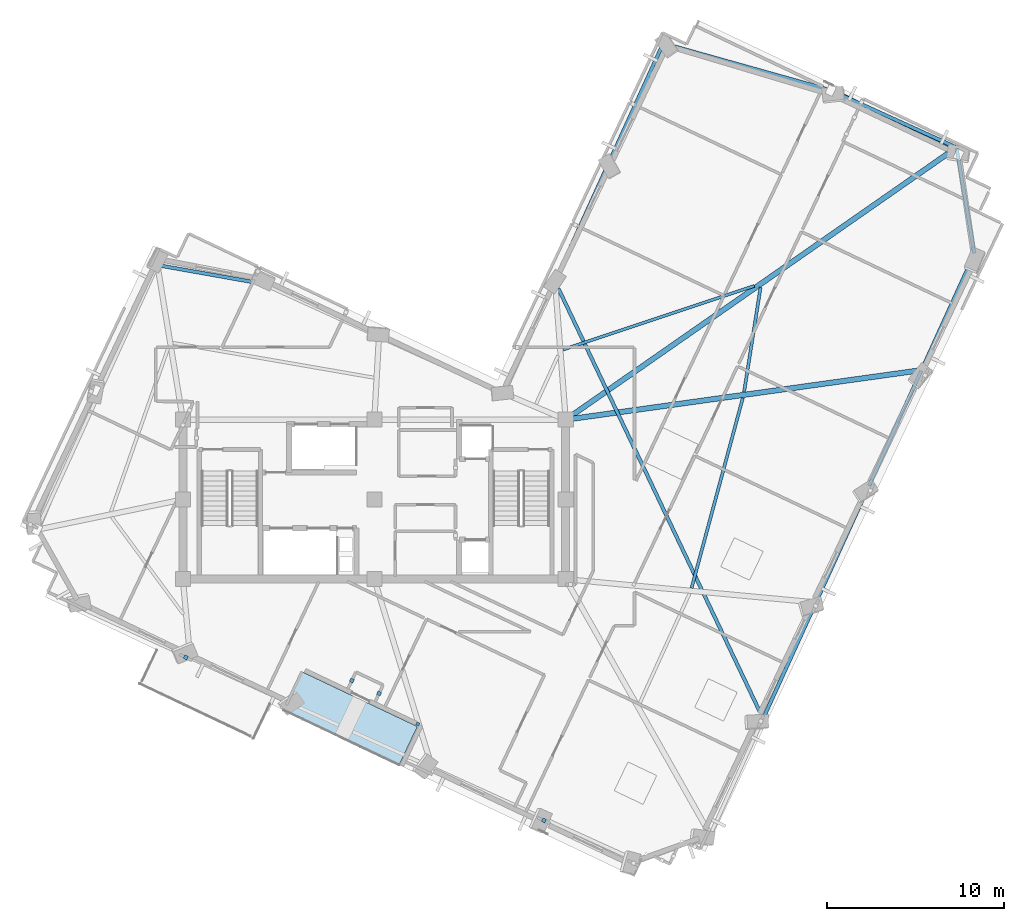
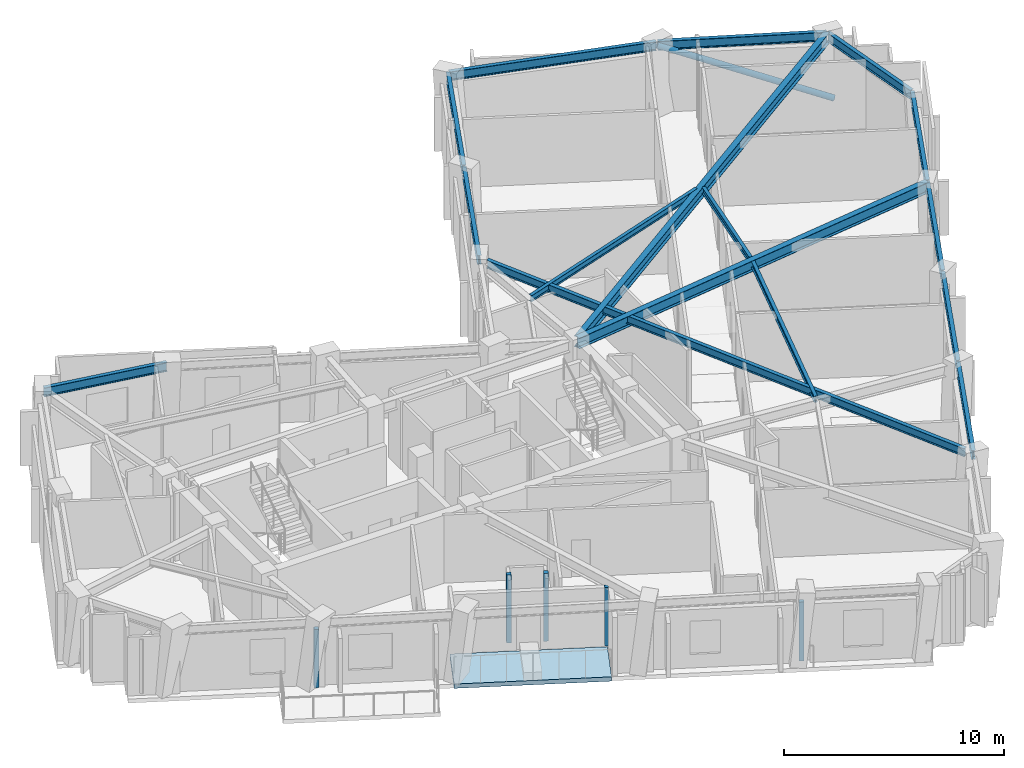
# One storey, part 2 of 13: 16 beams, 5 plates, 1 member, 1 slab.
"""IFC4 building model written with IfcOpenShell, lengths in metres."""

from ifc_helpers import new_model, si_unit, direction, frame, origin, origin_2d, place, context, subcontext, project, spatial, polyline, rectangle, hollow_circle, i_section, outline, extrude, material, layer, layer_set, material_profile, profile_set, type_object, element, save


model = new_model("IFC4")

# Units and contexts
model_context = context("Model", 3, precision=1e-05, world=origin(), true_north=direction((0.0, 1.0)))
body_context = subcontext(model_context, "Body", "Model", "MODEL_VIEW")
ifc_project = project(units=[si_unit("LENGTHUNIT", "METRE"), si_unit("AREAUNIT", "SQUARE_METRE"), si_unit("VOLUMEUNIT", "CUBIC_METRE"), si_unit("PLANEANGLEUNIT", "RADIAN"), si_unit("MASSUNIT", "GRAM", prefix="KILO")], contexts=[model_context])

# Site, building, storey
site_placement = place(None, origin())
site = spatial("IfcSite", under=ifc_project, at=site_placement, CompositionType="ELEMENT")
building_placement = place(site_placement, origin())
building = spatial("IfcBuilding", under=site, at=building_placement, Name="Gaonmaruhae Medical Tower", CompositionType="ELEMENT")
storey_placement = place(building_placement, frame((0.0, 0.0, 300.60009765625)))
storey = spatial("IfcBuildingStorey", under=building, at=storey_placement, Name="L72", CompositionType="ELEMENT", Elevation=300.60009765625)

# Beams
ifc_material_1 = material(Name="Steel SM355", Category="steel")
ifc_material_profile_1 = material_profile(ifc_material_1, i_section(OverallWidth=0.175048828125, OverallDepth=0.35009765625, WebThickness=0.007080078125, FlangeThickness=0.010986328125, FilletRadius=0.012939453125, at=origin_2d()), Name="H-350x175x7x11")
ifc_profile_set_1 = profile_set([ifc_material_profile_1], Name="Steel SM355")
beam_type_1 = type_object("IfcBeamType", Name="FJ-02 Upper Zone Ward Floor Joist (H-350x175x7x11)", PredefinedType="JOIST", material=ifc_profile_set_1)
beam_1_placement = place(storey_placement, frame((42.698974609375, 7.29638671875, 3.60498046875), z_axis=(0.260298580254, 0.965528171064, 0.0), x_axis=(-0.965528171064, 0.260298580254, 0.0)))
element("IfcBeam", 1, at=beam_1_placement, inside=storey, type_object=beam_type_1, Name="L72 Secondary Floor Joist FJ02", PredefinedType="JOIST", context=body_context, shape_type="SweptSolid", body=[
    extrude(i_section(OverallWidth=0.175048828125, OverallDepth=0.35009765625, WebThickness=0.007080078125, FlangeThickness=0.010986328125, FilletRadius=0.012939453125, at=origin_2d()), origin(), (0.0, 0.0, 1.0), 11.121826171875),
])
beam_2_placement = place(storey_placement, frame((45.6630859375, 18.35888671875, 3.60498046875), z_axis=(0.155381831448, 0.987854486479, 0.0), x_axis=(-0.987854486479, 0.155381831448, 0.0)))
element("IfcBeam", 2, at=beam_2_placement, inside=storey, type_object=beam_type_1, Name="L72 Secondary Floor Joist FJ03", PredefinedType="JOIST", context=body_context, shape_type="SweptSolid", body=[
    extrude(i_section(OverallWidth=0.175048828125, OverallDepth=0.35009765625, WebThickness=0.007080078125, FlangeThickness=0.010986328125, FilletRadius=0.012939453125, at=origin_2d()), origin(), (0.0, 0.0, 1.0), 5.97998046875),
])
beam_3_placement = place(storey_placement, frame((46.245361328125, 24.350830078125, 3.60498046875), z_axis=(-0.948713330603, -0.316137654095, 0.0), x_axis=(0.316137654095, -0.948713330603, 0.0)))
element("IfcBeam", 3, at=beam_3_placement, inside=storey, type_object=beam_type_1, Name="L72 Secondary Floor Joist FJ04", PredefinedType="JOIST", context=body_context, shape_type="SweptSolid", body=[
    extrude(i_section(OverallWidth=0.175048828125, OverallDepth=0.35009765625, WebThickness=0.007080078125, FlangeThickness=0.010986328125, FilletRadius=0.012939453125, at=origin_2d()), origin(), (0.0, 0.0, 1.0), 11.379150390625),
])

# Member
ifc_material_profile_2 = material_profile(ifc_material_1, hollow_circle(Radius=0.1591796875, WallThickness=0.01025390625, at=origin_2d()), Name="CHS-318.5x10.3")
ifc_profile_set_2 = profile_set([ifc_material_profile_2], Name="Steel SM355")
member_type = type_object("IfcMemberType", Name="PB-03 Perimeter Solid-Bay Tube Brace Upper (CHS-318.5x10.3)", PredefinedType="BRACE", material=ifc_profile_set_2)
member_placement = place(storey_placement, frame((57.76953125, 31.755126953125, 0.25), z_axis=(-0.827887464416, 0.416085616987, 0.376131766274), x_axis=(-0.449061949284, -0.893500624345, 0.0)))
element("IfcMember", 4, at=member_placement, inside=storey, type_object=member_type, Name="L72 Perimeter Tube Solid-Bay Brace E01-E02", PredefinedType="BRACE", context=body_context, shape_type="SweptSolid", body=[
    extrude(hollow_circle(Radius=0.1591796875, WallThickness=0.01025390625, at=origin_2d()), origin(), (0.0, 0.0, 1.0), 8.7197265625),
])

# Beams
ifc_material_2 = material(Name="Steel SM420", Category="steel")
ifc_material_profile_3 = material_profile(ifc_material_2, i_section(OverallWidth=0.300048828125, OverallDepth=0.60009765625, WebThickness=0.011962890625, FlangeThickness=0.02001953125, FilletRadius=0.012939453125, at=origin_2d()), Name="H-600x300x12x20")
ifc_profile_set_3 = profile_set([ifc_material_profile_3], Name="Steel SM420")
beam_type_2 = type_object("IfcBeamType", Name="PG-04 Zone 4 Radial Floor Girder (H-600x300x12x20)", PredefinedType="BEAM", material=ifc_profile_set_3)
beam_4_placement = place(storey_placement, frame((35.6494140625, 16.806884765625, 3.47998046875), z_axis=(0.99043873213, 0.137953317814, 0.0), x_axis=(-0.137953317814, 0.99043873213, 0.0)))
element("IfcBeam", 5, at=beam_4_placement, inside=storey, type_object=beam_type_2, Name="L72 Radial Primary Girder S05", PredefinedType="BEAM", context=body_context, shape_type="SweptSolid", body=[
    extrude(i_section(OverallWidth=0.300048828125, OverallDepth=0.60009765625, WebThickness=0.011962890625, FlangeThickness=0.02001953125, FilletRadius=0.012939453125, at=origin_2d()), origin(), (0.0, 0.0, 1.0), 20.169677734375),
])
beam_5_placement = place(storey_placement, frame((35.64111328125, 16.82861328125, 3.47998046875), z_axis=(0.820642462677, 0.571441990452, 0.0), x_axis=(-0.571441990452, 0.820642462677, 0.0)))
element("IfcBeam", 6, at=beam_5_placement, inside=storey, type_object=beam_type_2, Name="L72 Radial Primary Girder E01", PredefinedType="BEAM", context=body_context, shape_type="SweptSolid", body=[
    extrude(i_section(OverallWidth=0.300048828125, OverallDepth=0.60009765625, WebThickness=0.011962890625, FlangeThickness=0.02001953125, FilletRadius=0.012939453125, at=origin_2d()), origin(), (0.0, 0.0, 1.0), 26.770263671875),
])
ifc_material_profile_4 = material_profile(ifc_material_1, i_section(OverallWidth=0.199951171875, OverallDepth=0.5, WebThickness=0.010009765625, FlangeThickness=0.01611328125, FilletRadius=0.012939453125, at=origin_2d()), Name="H-500x200x10x16")
ifc_profile_set_4 = profile_set([ifc_material_profile_4], Name="Steel SM355")
beam_type_3 = type_object("IfcBeamType", Name="SP-02 Upper Perimeter Spandrel Beam (H-500x200x10x16)", PredefinedType="SPANDREL", material=ifc_profile_set_4)
for number, where, z_axis, x_axis, name in (
    (7, (46.752197265625, -0.0302734375, 3.52978515625), (0.413908863254, 0.910318325049, 0.0), (-0.910318325049, 0.413908863254, 0.0), "L72 Perimeter Spandrel Beam S02-S03"),
    (8, (49.732177734375, 6.52392578125, 3.52978515625), (0.413908863254, 0.910318325049, 0.0), (-0.910318325049, 0.413908863254, 0.0), "L72 Perimeter Spandrel Beam S03-S04"),
    (9, (52.71240234375, 13.078369140625, 3.52978515625), (0.413880447624, 0.910331244699, 0.0), (-0.910331244699, 0.413880447624, 0.0), "L72 Perimeter Spandrel Beam S04-S05"),
    (10, (55.6923828125, 19.632568359375, 3.52978515625), (0.413908863254, 0.910318325049, 0.0), (-0.910318325049, 0.413908863254, 0.0), "L72 Perimeter Spandrel Beam S05-S06"),
):
    element("IfcBeam", number, at=place(storey_placement, frame(where, z_axis=z_axis, x_axis=x_axis)), inside=storey, type_object=beam_type_3, Name=name, PredefinedType="SPANDREL", context=body_context, shape_type="SweptSolid", body=[
        extrude(i_section(OverallWidth=0.199951171875, OverallDepth=0.5, WebThickness=0.010009765625, FlangeThickness=0.01611328125, FilletRadius=0.012939453125, at=origin_2d()), origin(), (0.0, 0.0, 1.0), 7.119873046875),
    ])
beam_6_placement = place(storey_placement, frame((58.6494140625, 26.18994140625, 3.52978515625), z_axis=(-0.165064505997, 0.986282773276, 0.0), x_axis=(-0.986282773276, -0.165064505997, 0.0)))
element("IfcBeam", 11, at=beam_6_placement, inside=storey, type_object=beam_type_3, Name="L72 Perimeter Spandrel Beam S06-E01", PredefinedType="SPANDREL", context=body_context, shape_type="SweptSolid", body=[
    extrude(i_section(OverallWidth=0.199951171875, OverallDepth=0.5, WebThickness=0.010009765625, FlangeThickness=0.01611328125, FilletRadius=0.012939453125, at=origin_2d()), origin(), (0.0, 0.0, 1.0), 6.008056640625),
])
beam_7_placement = place(storey_placement, frame((57.614501953125, 32.17138671875, 3.52978515625), z_axis=(-0.910319900928, 0.413905397372, 0.0), x_axis=(-0.413905397372, -0.910319900928, 0.0)))
element("IfcBeam", 12, at=beam_7_placement, inside=storey, type_object=beam_type_3, Name="L72 Perimeter Spandrel Beam E01-E02", PredefinedType="SPANDREL", context=body_context, shape_type="SweptSolid", body=[
    extrude(i_section(OverallWidth=0.199951171875, OverallDepth=0.5, WebThickness=0.010009765625, FlangeThickness=0.01611328125, FilletRadius=0.012939453125, at=origin_2d()), origin(), (0.0, 0.0, 1.0), 7.719970703125),
])
beam_8_placement = place(storey_placement, frame((50.511962890625, 35.39404296875, 3.52978515625), z_axis=(-0.96288506171, 0.269911759537, 0.0), x_axis=(-0.269911759537, -0.96288506171, 0.0)))
element("IfcBeam", 13, at=beam_8_placement, inside=storey, type_object=beam_type_3, Name="L72 Perimeter Spandrel Beam E02-E03", PredefinedType="SPANDREL", context=body_context, shape_type="SweptSolid", body=[
    extrude(i_section(OverallWidth=0.199951171875, OverallDepth=0.5, WebThickness=0.010009765625, FlangeThickness=0.01611328125, FilletRadius=0.012939453125, at=origin_2d()), origin(), (0.0, 0.0, 1.0), 9.7353515625),
])
beam_9_placement = place(storey_placement, frame((41.0830078125, 37.99609375, 3.52978515625), z_axis=(-0.413898976633, -0.910322820291, 0.0), x_axis=(0.910322820291, -0.413898976633, 0.0)))
element("IfcBeam", 14, at=beam_9_placement, inside=storey, type_object=beam_type_3, Name="L72 Perimeter Spandrel Beam E03-EN01", PredefinedType="SPANDREL", context=body_context, shape_type="SweptSolid", body=[
    extrude(i_section(OverallWidth=0.199951171875, OverallDepth=0.5, WebThickness=0.010009765625, FlangeThickness=0.01611328125, FilletRadius=0.012939453125, at=origin_2d()), origin(), (0.0, 0.0, 1.0), 7.469970703125),
])
beam_10_placement = place(storey_placement, frame((37.9580078125, 31.123291015625, 3.52978515625), z_axis=(-0.413908863254, -0.910318325049, 0.0), x_axis=(0.910318325049, -0.413908863254, 0.0)))
element("IfcBeam", 15, at=beam_10_placement, inside=storey, type_object=beam_type_3, Name="L72 Perimeter Spandrel Beam EN01-EN02", PredefinedType="SPANDREL", context=body_context, shape_type="SweptSolid", body=[
    extrude(i_section(OverallWidth=0.199951171875, OverallDepth=0.5, WebThickness=0.010009765625, FlangeThickness=0.01611328125, FilletRadius=0.012939453125, at=origin_2d()), origin(), (0.0, 0.0, 1.0), 7.119873046875),
])
beam_11_placement = place(storey_placement, frame((18.46923828125, 24.473388671875, 3.52978515625), z_axis=(-0.984601549665, 0.174813581843, 0.0), x_axis=(-0.174813581843, -0.984601549665, 0.0)))
element("IfcBeam", 16, at=beam_11_placement, inside=storey, type_object=beam_type_3, Name="L72 Perimeter Spandrel Beam NE02-N01", PredefinedType="SPANDREL", context=body_context, shape_type="SweptSolid", body=[
    extrude(i_section(OverallWidth=0.199951171875, OverallDepth=0.5, WebThickness=0.010009765625, FlangeThickness=0.01611328125, FilletRadius=0.012939453125, at=origin_2d()), origin(), (0.0, 0.0, 1.0), 5.959228515625),
])
ifc_material_profile_5 = material_profile(ifc_material_1, i_section(OverallWidth=0.199951171875, OverallDepth=0.449951171875, WebThickness=0.009033203125, FlangeThickness=0.013916015625, FilletRadius=0.012939453125, at=origin_2d()), Name="H-450x200x9x14")
ifc_profile_set_5 = profile_set([ifc_material_profile_5], Name="Steel SM355")
beam_type_4 = type_object("IfcBeamType", Name="SP-03 Ribbon Edge Spandrel Beam (H-450x200x9x14)", PredefinedType="SPANDREL", material=ifc_profile_set_5)
beam_12_placement = place(storey_placement, frame((46.542236328125, 0.339599609375, 3.554931640625), z_axis=(-0.429714072317, 0.902965013748, 0.0), x_axis=(-0.902965013748, -0.429714072317, 0.0)))
element("IfcBeam", 17, at=beam_12_placement, inside=storey, type_object=beam_type_4, Name="L72 Ribbon Transverse Spandrel 1", PredefinedType="SPANDREL", context=body_context, shape_type="SweptSolid", body=[
    extrude(i_section(OverallWidth=0.199951171875, OverallDepth=0.449951171875, WebThickness=0.009033203125, FlangeThickness=0.013916015625, FilletRadius=0.012939453125, at=origin_2d()), origin(), (0.0, 0.0, 1.0), 26.42333984375),
])

# Plates
ifc_material_3 = material(Name="Anodised aluminium 6063-T6", Category="aluminium")
ifc_layer_1 = layer(ifc_material_3, 0.011962890625)
ifc_layer_set_1 = layer_set([ifc_layer_1], Name="Anodised aluminium 6063-T6")
plate_type = type_object("IfcPlateType", Name="PP-01 Interior Partition Corner Stiffener Plate", PredefinedType="SHEET", material=ifc_layer_set_1)
plate_1_placement = place(storey_placement, frame((27.250244140625, -0.369384765625, 0.0), z_axis=(0.0, 0.0, 1.0), x_axis=(-0.903335292863, 0.428935133403, 0.0)))
element("IfcPlate", 18, at=plate_1_placement, inside=storey, type_object=plate_type, Name="L72 Partition End Jamb Post Plate PLT-L72-ENDP-TERB-0", PredefinedType="SHEET", context=body_context, shape_type="SweptSolid", body=[
    extrude(rectangle(XDim=0.179931640625, YDim=0.179931640625, at=origin_2d()), origin(), (0.0, 0.0, 1.0), 3.264892578125),
])
plate_2_placement = place(storey_placement, frame((34.369384765625, -5.814453125, 0.0), z_axis=(0.0, 0.0, 1.0), x_axis=(-0.902930629884, 0.429786316229, 0.0)))
element("IfcPlate", 19, at=plate_2_placement, inside=storey, type_object=plate_type, Name="L72 Partition Corner Stiffener Plate PLT-L72-JGP-PW016", PredefinedType="SHEET", context=body_context, shape_type="SweptSolid", body=[
    extrude(rectangle(XDim=0.219970703125, YDim=0.219970703125, at=origin_2d()), origin(), (0.0, 0.0, 1.0), 3.264892578125),
])
for number, where, z_axis, x_axis, name in (
    (20, (25.069091796875, 1.35546875, 0.0), (0.0, 0.0, 1.0), (0.428540938206, 0.903522365125, 0.0), "L72 Partition Corner Stiffener Plate PLT-L72-JGP-PW047"),
    (21, (23.533447265625, 2.08447265625, 0.0), (0.0, 0.0, 1.0), (-0.429313483964, -0.903155541691, 0.0), "L72 Partition Corner Stiffener Plate PLT-L72-JGP-PW049"),
):
    element("IfcPlate", number, at=place(storey_placement, frame(where, z_axis=z_axis, x_axis=x_axis)), inside=storey, type_object=plate_type, Name=name, PredefinedType="SHEET", context=body_context, shape_type="SweptSolid", body=[
        extrude(rectangle(XDim=0.219970703125, YDim=0.219970703125, at=origin_2d()), origin(), (0.0, 0.0, 1.0), 3.780029296875),
    ])
plate_3_placement = place(storey_placement, frame((14.16455078125, 3.386474609375, -0.000244140625), z_axis=(0.0, 0.0, 1.0), x_axis=(-0.903686846423, 0.428193978941, 0.0)))
element("IfcPlate", 22, at=plate_3_placement, inside=storey, type_object=plate_type, Name="L72 Partition Corner Stiffener Plate PLT-L72-JGP-PW053", PredefinedType="SHEET", context=body_context, shape_type="SweptSolid", body=[
    extrude(rectangle(XDim=0.219970703125, YDim=0.219970703125, at=origin_2d()), origin(), (0.0, 0.0, 1.0), 3.2451171875),
])

# Slab
ifc_material_4 = material(Name="Concrete C40/50", Category="concrete")
ifc_layer_2 = layer(ifc_material_4, 0.239990234375)
ifc_layer_set_2 = layer_set([ifc_layer_2], Name="Concrete C40/50")
slab_type = type_object("IfcSlabType", Name="TS-240 Sky Garden & Recovery Terrace Slab", PredefinedType="FLOOR", material=ifc_layer_set_2)
slab_placement = place(storey_placement, frame((0.0, 0.0, -0.239990234375)))
element("IfcSlab", 23, at=slab_placement, inside=storey, type_object=slab_type, Name="L72 Outdoor Recovery Terrace Slab", PredefinedType="FLOOR", context=body_context, shape_type="SweptSolid", body=[
    extrude(outline(polyline([(26.19677734375, -2.680908203125), (27.226318359375, -0.512939453125), (20.72216796875, 2.575439453125), (19.69287109375, 0.407470703125), (26.19677734375, -2.680908203125)])), origin(), (0.0, 0.0, 1.0), 0.239990234375),
])

save(model, "model.ifc")
